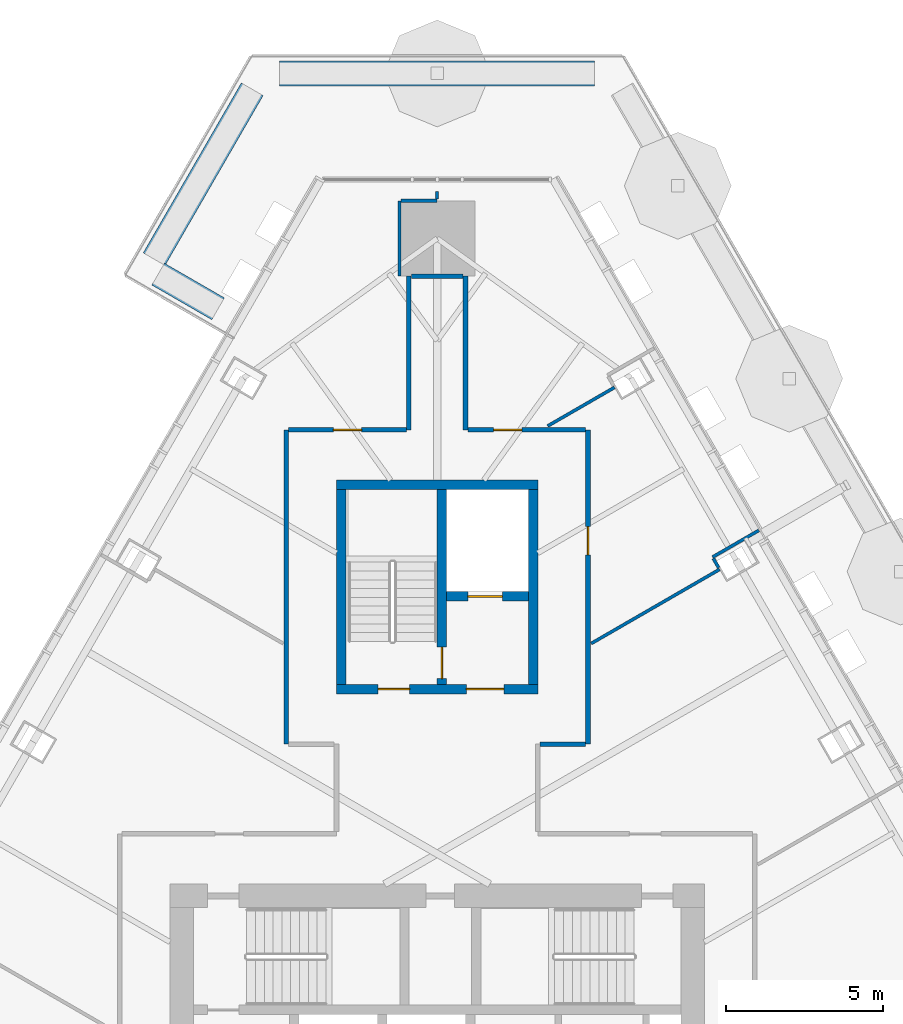
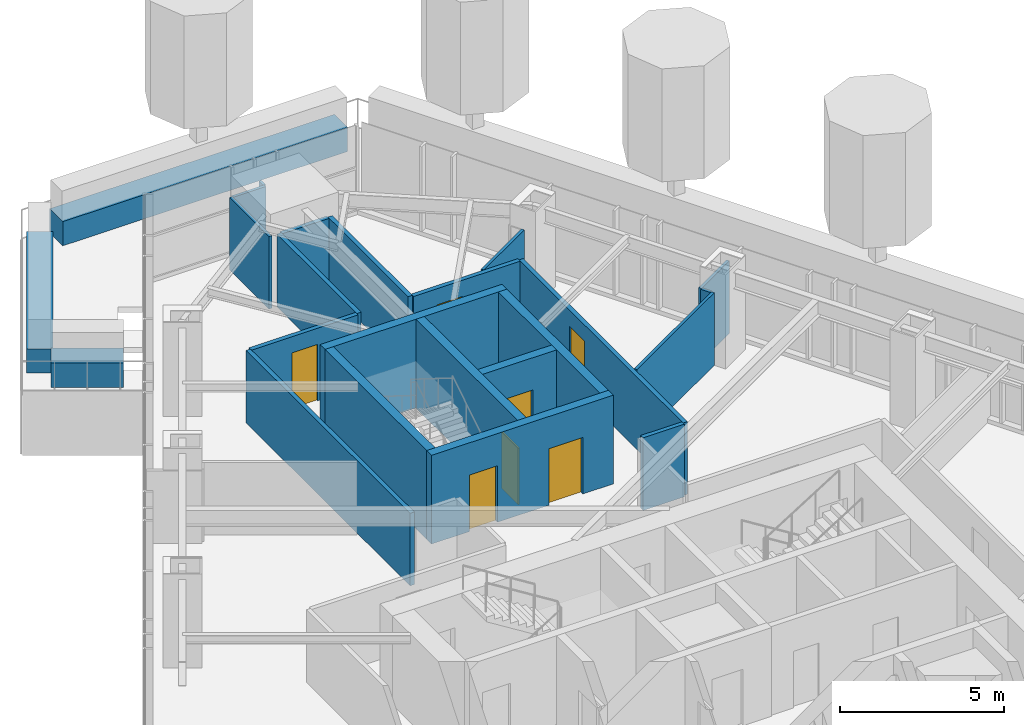
# One storey, part 20 of 24: 24 walls, 7 doors, 7 openings.
"""IFC4 building model written with IfcOpenShell, lengths in metres."""

from ifc_helpers import new_model, si_unit, direction, frame, frame_2d, origin, place, context, subcontext, project, spatial, rectangle, extrude, material, layer, layer_set, type_object, element, fill, save


model = new_model("IFC4")

# Units and contexts
model_context = context("Model", 3, precision=1e-05, world=origin(), true_north=direction((0.0, 1.0)))
body_context = subcontext(model_context, "Body", "Model", "MODEL_VIEW")
ifc_project = project(units=[si_unit("LENGTHUNIT", "METRE"), si_unit("AREAUNIT", "SQUARE_METRE"), si_unit("VOLUMEUNIT", "CUBIC_METRE"), si_unit("PLANEANGLEUNIT", "RADIAN"), si_unit("MASSUNIT", "GRAM", prefix="KILO")], contexts=[model_context])

# Site, building, storey
site_placement = place(None, origin())
site = spatial("IfcSite", under=ifc_project, at=site_placement, CompositionType="ELEMENT")
building_placement = place(site_placement, origin())
building = spatial("IfcBuilding", under=site, at=building_placement, Name="Firuza Gate Tower and Library", CompositionType="ELEMENT")
storey_placement = place(building_placement, frame((0.0, 0.0, 267.10009765625)))
storey = spatial("IfcBuildingStorey", under=building, at=storey_placement, Name="L63", CompositionType="ELEMENT", Elevation=267.10009765625)

# Wall, openings, doors
ifc_material_1 = material(Name="Concrete C60/75", Category="concrete")
ifc_layer_1 = layer(ifc_material_1, 0.300048828125)
ifc_layer_set_1 = layer_set([ifc_layer_1], Name="Core wall 300 C60/75")
wall_type_1 = type_object("IfcWallType", Name="Core wall 300 C60/75", PredefinedType="SHEAR", material=ifc_layer_set_1)
wall_1_placement = place(storey_placement, frame((71.800048828125, 87.949951171875, 0.0), z_axis=(0.0, 0.0, 1.0), x_axis=(1.0, 0.0, 0.0)))
wall_1 = element("IfcWall", 1, at=wall_1_placement, inside=storey, type_object=wall_type_1, Name="Core wall L63 18", PredefinedType="SHEAR", context=body_context, shape_type="SweptSolid", body=[
    extrude(rectangle(XDim=6.39990234375, YDim=0.300048828125, at=frame_2d((3.199951171875, 0.0))), origin(), (0.0, 0.0, 1.0), 3.2998046875),
])
opening_1_placement = place(wall_1_placement, frame((1.324951171875, 0.0, 0.0)))
opening_1 = element("IfcOpeningElement", 2, at=opening_1_placement, cuts=wall_1, Name="Opening L63-K11", PredefinedType="OPENING", context=body_context, shape_type="SweptSolid", body=[
    extrude(rectangle(XDim=1.0, YDim=2.10009765625, at=frame_2d((0.5, 1.050048828125))), frame((0.0, 0.16015625, 0.0), z_axis=(0.0, -1.0, 0.0), x_axis=(1.0, 0.0, 0.0)), (0.0, 0.0, 1.0), 0.320068359375),
])
opening_2_placement = place(wall_1_placement, frame((4.125, 0.0, 0.0)))
opening_2 = element("IfcOpeningElement", 3, at=opening_2_placement, cuts=wall_1, Name="Opening L63-K13", PredefinedType="OPENING", context=body_context, shape_type="SweptSolid", body=[
    extrude(rectangle(XDim=1.199951171875, YDim=2.10009765625, at=frame_2d((0.60009765625, 1.050048828125))), frame((0.0, 0.16015625, 0.0), z_axis=(0.0, -1.0, 0.0), x_axis=(1.0, 0.0, 0.0)), (0.0, 0.0, 1.0), 0.320068359375),
])
ifc_material_2 = material(Name="Steel", Category="steel")
door_type_1 = type_object("IfcDoorType", Name="Fire door 1000x2100 FD90", OperationType="NOTDEFINED", PredefinedType="DOOR", material=ifc_material_2)
door_1_placement = place(opening_1_placement, origin())
door_1 = element("IfcDoor", 4, at=door_1_placement, inside=storey, type_object=door_type_1, Name="Door L63-K11", OperationType="SINGLE_SWING_RIGHT", OverallHeight=2.10009765625, OverallWidth=1.0, PredefinedType="DOOR", context=body_context, shape_type="SweptSolid", body=[
    extrude(rectangle(XDim=1.0, YDim=2.10009765625, at=frame_2d((0.5, 1.050048828125))), frame((0.0, 0.02490234375, 0.0), z_axis=(0.0, -1.0, 0.0), x_axis=(1.0, 0.0, 0.0)), (0.0, 0.0, 1.0), 0.050048828125),
])
fill(opening_1, door_1)
ifc_material_3 = material(Name="Steel", Category="steel")
door_type_2 = type_object("IfcDoorType", Name="Fire door 1200x2100 FD30S", OperationType="NOTDEFINED", PredefinedType="DOOR", material=ifc_material_3)
door_2_placement = place(opening_2_placement, origin())
door_2 = element("IfcDoor", 5, at=door_2_placement, inside=storey, type_object=door_type_2, Name="Door L63-K13", OperationType="SINGLE_SWING_RIGHT", OverallHeight=2.10009765625, OverallWidth=1.199951171875, PredefinedType="DOOR", context=body_context, shape_type="SweptSolid", body=[
    extrude(rectangle(XDim=1.199951171875, YDim=2.10009765625, at=frame_2d((0.60009765625, 1.050048828125))), frame((0.0, 0.02490234375, 0.0), z_axis=(0.0, -1.0, 0.0), x_axis=(1.0, 0.0, 0.0)), (0.0, 0.0, 1.0), 0.050048828125),
])
fill(opening_2, door_2)

# Walls
wall_2_placement = place(storey_placement, frame((71.800048828125, 94.449951171875, 0.0), z_axis=(0.0, 0.0, 1.0), x_axis=(1.0, 0.0, 0.0)))
element("IfcWall", 6, at=wall_2_placement, inside=storey, type_object=wall_type_1, Name="Core wall L63 19", PredefinedType="SHEAR", context=body_context, shape_type="SweptSolid", body=[
    extrude(rectangle(XDim=6.39990234375, YDim=0.300048828125, at=frame_2d((3.199951171875, 0.0))), origin(), (0.0, 0.0, 1.0), 3.2998046875),
])
for number, where, z_axis, x_axis, name in (
    (7, (71.949951171875, 88.10009765625, 0.0), (0.0, 0.0, 1.0), (0.0, 1.0, 0.0), "Core wall L63 20"),
    (8, (78.050048828125, 88.10009765625, 0.0), (0.0, 0.0, 1.0), (0.0, 1.0, 0.0), "Core wall L63 21"),
):
    element("IfcWall", number, at=place(storey_placement, frame(where, z_axis=z_axis, x_axis=x_axis)), inside=storey, type_object=wall_type_1, Name=name, PredefinedType="SHEAR", context=body_context, shape_type="SweptSolid", body=[
        extrude(rectangle(XDim=6.199951171875, YDim=0.300048828125, at=frame_2d((3.10009765625, 0.0))), origin(), (0.0, 0.0, 1.0), 3.2998046875),
    ])

# Wall, opening, door
wall_3_placement = place(storey_placement, frame((75.300048828125, 90.89990234375, 0.0), z_axis=(0.0, 0.0, 1.0), x_axis=(1.0, 0.0, 0.0)))
wall_3 = element("IfcWall", 9, at=wall_3_placement, inside=storey, type_object=wall_type_1, Name="Core wall L63 22", PredefinedType="SHEAR", context=body_context, shape_type="SweptSolid", body=[
    extrude(rectangle(XDim=2.599853515625, YDim=0.300048828125, at=frame_2d((1.2998046875, 0.0))), origin(), (0.0, 0.0, 1.0), 3.2998046875),
])
opening_3_placement = place(wall_3_placement, frame((0.675048828125, 0.0, 0.0)))
opening_3 = element("IfcOpeningElement", 10, at=opening_3_placement, cuts=wall_3, Name="Opening LD-SV1-L63", PredefinedType="OPENING", context=body_context, shape_type="SweptSolid", body=[
    extrude(rectangle(XDim=1.10009765625, YDim=2.10009765625, at=frame_2d((0.550048828125, 1.050048828125))), frame((0.0, 0.16015625, 0.0), z_axis=(0.0, -1.0, 0.0), x_axis=(1.0, 0.0, 0.0)), (0.0, 0.0, 1.0), 0.320068359375),
])
ifc_material_4 = material(Name="Stainless steel", Category="steel")
door_type_3 = type_object("IfcDoorType", Name="Lift landing door 1100x2100", OperationType="DOUBLE_DOOR_SLIDING", PredefinedType="DOOR", material=ifc_material_4)
door_3_placement = place(opening_3_placement, origin())
door_3 = element("IfcDoor", 11, at=door_3_placement, inside=storey, type_object=door_type_3, Name="Landing door SV1 L63", OperationType="DOUBLE_DOOR_SLIDING", OverallHeight=2.10009765625, OverallWidth=1.10009765625, PredefinedType="DOOR", context=body_context, shape_type="SweptSolid", body=[
    extrude(rectangle(XDim=1.10009765625, YDim=2.10009765625, at=frame_2d((0.550048828125, 1.050048828125))), frame((0.0, 0.02490234375, 0.0), z_axis=(0.0, -1.0, 0.0), x_axis=(1.0, 0.0, 0.0)), (0.0, 0.0, 1.0), 0.050048828125),
])
fill(opening_3, door_3)

wall_4_placement = place(storey_placement, frame((75.14990234375, 88.10009765625, 0.0), z_axis=(0.0, 0.0, 1.0), x_axis=(0.0, 1.0, 0.0)))
wall_4 = element("IfcWall", 12, at=wall_4_placement, inside=storey, type_object=wall_type_1, Name="Core wall L63 23", PredefinedType="SHEAR", context=body_context, shape_type="SweptSolid", body=[
    extrude(rectangle(XDim=6.199951171875, YDim=0.300048828125, at=frame_2d((3.10009765625, 0.0))), origin(), (0.0, 0.0, 1.0), 3.2998046875),
])
opening_4_placement = place(wall_4_placement, frame((0.18505859375, 0.0, 0.0)))
opening_4 = element("IfcOpeningElement", 13, at=opening_4_placement, cuts=wall_4, Name="Opening L63-K12", PredefinedType="OPENING", context=body_context, shape_type="SweptSolid", body=[
    extrude(rectangle(XDim=1.0, YDim=2.10009765625, at=frame_2d((0.5, 1.050048828125))), frame((0.0, 0.16015625, 0.0), z_axis=(0.0, -1.0, 0.0), x_axis=(1.0, 0.0, 0.0)), (0.0, 0.0, 1.0), 0.320068359375),
])
door_4_placement = place(opening_4_placement, origin())
door_4 = element("IfcDoor", 14, at=door_4_placement, inside=storey, type_object=door_type_1, Name="Door L63-K12", OperationType="SINGLE_SWING_LEFT", OverallHeight=2.10009765625, OverallWidth=1.0, PredefinedType="DOOR", context=body_context, shape_type="SweptSolid", body=[
    extrude(rectangle(XDim=1.0, YDim=2.10009765625, at=frame_2d((0.5, 1.050048828125))), frame((0.0, 0.02490234375, 0.0), z_axis=(0.0, -1.0, 0.0), x_axis=(1.0, 0.0, 0.0)), (0.0, 0.0, 1.0), 0.050048828125),
])
fill(opening_4, door_4)

# Wall
ifc_material_5 = material(Name="Gypsum board partition")
ifc_layer_2 = layer(ifc_material_5, 0.14990234375)
ifc_layer_set_2 = layer_set([ifc_layer_2], Name="Corridor wall 150 double board on steel studs")
wall_type_2 = type_object("IfcWallType", Name="Corridor wall 150 double board on steel studs", PredefinedType="PARTITIONING", material=ifc_layer_set_2)
wall_5_placement = place(storey_placement, frame((78.27490234375, 86.199951171875, 0.0), z_axis=(0.0, 0.0, 1.0), x_axis=(1.0, 0.0, 0.0)))
element("IfcWall", 15, at=wall_5_placement, inside=storey, type_object=wall_type_2, Name="f:L63:w007", PredefinedType="PARTITIONING", context=body_context, shape_type="SweptSolid", body=[
    extrude(rectangle(XDim=1.44970703125, YDim=0.14990234375, at=frame_2d((0.724853515625, 0.0))), origin(), (0.0, 0.0, 1.0), 2.699951171875),
])

# Wall, opening, door
wall_6_placement = place(storey_placement, frame((70.275390625, 96.199951171875, 0.0), z_axis=(0.0, 0.0, 1.0), x_axis=(1.0, 0.0, 0.0)))
wall_6 = element("IfcWall", 16, at=wall_6_placement, inside=storey, type_object=wall_type_2, Name="f:L63:w008", PredefinedType="PARTITIONING", context=body_context, shape_type="SweptSolid", body=[
    extrude(rectangle(XDim=3.74951171875, YDim=0.14990234375, at=frame_2d((1.874755859375, 0.0))), origin(), (0.0, 0.0, 1.0), 2.699951171875),
])
opening_5_placement = place(wall_6_placement, frame((1.4248046875, 0.0, 0.0)))
opening_5 = element("IfcOpeningElement", 17, at=opening_5_placement, cuts=wall_6, Name="Opening L63-06", PredefinedType="OPENING", context=body_context, shape_type="SweptSolid", body=[
    extrude(rectangle(XDim=0.89990234375, YDim=2.10009765625, at=frame_2d((0.449951171875, 1.050048828125))), frame((0.0, 0.0849609375, 0.0), z_axis=(0.0, -1.0, 0.0), x_axis=(1.0, 0.0, 0.0)), (0.0, 0.0, 1.0), 0.169921875),
])
ifc_material_6 = material(Name="Steel door and timber leaf", Category="steel")
door_type_4 = type_object("IfcDoorType", Name="Fire door 900 x 2100 steel frame, timber leaf", OperationType="NOTDEFINED", PredefinedType="DOOR", material=ifc_material_6)
door_5_placement = place(opening_5_placement, origin())
door_5 = element("IfcDoor", 18, at=door_5_placement, inside=storey, type_object=door_type_4, Name="f:L63:d006", OperationType="SINGLE_SWING_RIGHT", OverallHeight=2.10009765625, OverallWidth=0.89990234375, PredefinedType="DOOR", context=body_context, shape_type="SweptSolid", body=[
    extrude(rectangle(XDim=0.89990234375, YDim=2.10009765625, at=frame_2d((0.449951171875, 1.050048828125))), frame((0.0, 0.02490234375, 0.0), z_axis=(0.0, -1.0, 0.0), x_axis=(1.0, 0.0, 0.0)), (0.0, 0.0, 1.0), 0.050048828125),
])
fill(opening_5, door_5)

wall_7_placement = place(storey_placement, frame((75.97509765625, 96.199951171875, 0.0), z_axis=(0.0, 0.0, 1.0), x_axis=(1.0, 0.0, 0.0)))
wall_7 = element("IfcWall", 19, at=wall_7_placement, inside=storey, type_object=wall_type_2, Name="f:L63:w009", PredefinedType="PARTITIONING", context=body_context, shape_type="SweptSolid", body=[
    extrude(rectangle(XDim=3.74951171875, YDim=0.14990234375, at=frame_2d((1.874755859375, 0.0))), origin(), (0.0, 0.0, 1.0), 2.699951171875),
])
opening_6_placement = place(wall_7_placement, frame((0.818603515625, 0.0, 0.0)))
opening_6 = element("IfcOpeningElement", 20, at=opening_6_placement, cuts=wall_7, Name="Opening L63-07", PredefinedType="OPENING", context=body_context, shape_type="SweptSolid", body=[
    extrude(rectangle(XDim=0.89990234375, YDim=2.10009765625, at=frame_2d((0.449951171875, 1.050048828125))), frame((0.0, 0.0849609375, 0.0), z_axis=(0.0, -1.0, 0.0), x_axis=(1.0, 0.0, 0.0)), (0.0, 0.0, 1.0), 0.169921875),
])
door_6_placement = place(opening_6_placement, origin())
door_6 = element("IfcDoor", 21, at=door_6_placement, inside=storey, type_object=door_type_4, Name="f:L63:d007", OperationType="SINGLE_SWING_LEFT", OverallHeight=2.10009765625, OverallWidth=0.89990234375, PredefinedType="DOOR", context=body_context, shape_type="SweptSolid", body=[
    extrude(rectangle(XDim=0.89990234375, YDim=2.10009765625, at=frame_2d((0.449951171875, 1.050048828125))), frame((0.0, 0.02490234375, 0.0), z_axis=(0.0, -1.0, 0.0), x_axis=(1.0, 0.0, 0.0)), (0.0, 0.0, 1.0), 0.050048828125),
])
fill(opening_6, door_6)

# Wall
wall_8_placement = place(storey_placement, frame((74.180419921875, 101.0859375, 0.0), z_axis=(0.0, 0.0, 1.0), x_axis=(1.0, 0.0, 0.0)))
element("IfcWall", 22, at=wall_8_placement, inside=storey, type_object=wall_type_2, Name="f:L63:w010", PredefinedType="PARTITIONING", context=body_context, shape_type="SweptSolid", body=[
    extrude(rectangle(XDim=1.64404296875, YDim=0.14990234375, at=frame_2d((0.822021484375, 0.0))), origin(), (0.0, 0.0, 1.0), 2.697021484375),
])

# Wall, opening, door
wall_9_placement = place(storey_placement, frame((79.800048828125, 96.199462890625, 0.0), z_axis=(0.0, 0.0, 1.0), x_axis=(0.0, -1.0, 0.0)))
wall_9 = element("IfcWall", 23, at=wall_9_placement, inside=storey, type_object=wall_type_2, Name="f:L63:w034", PredefinedType="PARTITIONING", context=body_context, shape_type="SweptSolid", body=[
    extrude(rectangle(XDim=9.9990234375, YDim=0.14990234375, at=frame_2d((4.99951171875, 0.0))), origin(), (0.0, 0.0, 1.0), 2.699951171875),
])
opening_7_placement = place(wall_9_placement, frame((3.078369140625, 0.0, 0.0)))
opening_7 = element("IfcOpeningElement", 24, at=opening_7_placement, cuts=wall_9, Name="Opening L63-16", PredefinedType="OPENING", context=body_context, shape_type="SweptSolid", body=[
    extrude(rectangle(XDim=0.89990234375, YDim=2.10009765625, at=frame_2d((0.449951171875, 1.050048828125))), frame((0.0, 0.0849609375, 0.0), z_axis=(0.0, -1.0, 0.0), x_axis=(1.0, 0.0, 0.0)), (0.0, 0.0, 1.0), 0.169921875),
])
door_7_placement = place(opening_7_placement, origin())
door_7 = element("IfcDoor", 25, at=door_7_placement, inside=storey, type_object=door_type_4, Name="f:L63:d016", OperationType="SINGLE_SWING_LEFT", OverallHeight=2.10009765625, OverallWidth=0.89990234375, PredefinedType="DOOR", context=body_context, shape_type="SweptSolid", body=[
    extrude(rectangle(XDim=0.89990234375, YDim=2.10009765625, at=frame_2d((0.449951171875, 1.050048828125))), frame((0.0, 0.02490234375, 0.0), z_axis=(0.0, -1.0, 0.0), x_axis=(1.0, 0.0, 0.0)), (0.0, 0.0, 1.0), 0.050048828125),
])
fill(opening_7, door_7)

# Walls
wall_10_placement = place(storey_placement, frame((75.89990234375, 96.199951171875, 0.0), z_axis=(0.0, 0.0, 1.0), x_axis=(0.0, 1.0, 0.0)))
element("IfcWall", 26, at=wall_10_placement, inside=storey, type_object=wall_type_2, Name="f:L63:w036", PredefinedType="PARTITIONING", context=body_context, shape_type="SweptSolid", body=[
    extrude(rectangle(XDim=4.8857421875, YDim=0.14990234375, at=frame_2d((2.44287109375, 0.0))), origin(), (0.0, 0.0, 1.0), 2.699951171875),
])
wall_11_placement = place(storey_placement, frame((74.10009765625, 96.199951171875, 0.0), z_axis=(0.0, 0.0, 1.0), x_axis=(0.0, 1.0, 0.0)))
element("IfcWall", 27, at=wall_11_placement, inside=storey, type_object=wall_type_2, Name="f:L63:w038", PredefinedType="PARTITIONING", context=body_context, shape_type="SweptSolid", body=[
    extrude(rectangle(XDim=4.88623046875, YDim=0.14990234375, at=frame_2d((2.443115234375, 0.0))), origin(), (0.0, 0.0, 1.0), 2.699951171875),
])
wall_12_placement = place(storey_placement, frame((70.199951171875, 86.201904296875, 0.0), z_axis=(0.0, 0.0, 1.0), x_axis=(0.0, 1.0, 0.0)))
element("IfcWall", 28, at=wall_12_placement, inside=storey, type_object=wall_type_2, Name="f:L63:w044", PredefinedType="PARTITIONING", context=body_context, shape_type="SweptSolid", body=[
    extrude(rectangle(XDim=9.99755859375, YDim=0.14990234375, at=frame_2d((4.998779296875, 0.0))), origin(), (0.0, 0.0, 1.0), 2.699951171875),
])
ifc_material_7 = material(Name="Gypsum board partition")
ifc_layer_3 = layer(ifc_material_7, 0.10009765625)
ifc_layer_set_3 = layer_set([ifc_layer_3], Name="Partition 100 gypsum board on steel studs")
wall_type_3 = type_object("IfcWallType", Name="Partition 100 gypsum board on steel studs", PredefinedType="PARTITIONING", material=ifc_layer_set_3)
wall_13_placement = place(storey_placement, frame((73.8505859375, 103.486083984375, 0.0), z_axis=(0.0, 0.0, 1.0), x_axis=(1.0, 0.0, 0.0)))
element("IfcWall", 29, at=wall_13_placement, inside=storey, type_object=wall_type_3, Name="f:L63:w011", PredefinedType="PARTITIONING", context=body_context, shape_type="SweptSolid", body=[
    extrude(rectangle(XDim=1.1494140625, YDim=0.10009765625, at=frame_2d((0.57470703125, 0.0))), origin(), (0.0, 0.0, 1.0), 2.699951171875),
])
wall_14_placement = place(storey_placement, frame((79.90087890625, 89.404296875, 0.0), z_axis=(0.0, 0.0, 1.0), x_axis=(0.866026044032, 0.499998891056, 0.0)))
element("IfcWall", 30, at=wall_14_placement, inside=storey, type_object=wall_type_3, Name="f:L63:w021", PredefinedType="PARTITIONING", context=body_context, shape_type="SweptSolid", body=[
    extrude(rectangle(XDim=4.71435546875, YDim=0.10009765625, at=frame_2d((2.357177734375, 0.0))), origin(), (0.0, 0.0, 1.0), 2.699951171875),
])
wall_15_placement = place(storey_placement, frame((83.759033203125, 92.1513671875, 0.0), z_axis=(0.0, 0.0, 1.0), x_axis=(0.865979829179, 0.500078929226, 0.0)))
element("IfcWall", 31, at=wall_15_placement, inside=storey, type_object=wall_type_3, Name="f:L63:w022", PredefinedType="PARTITIONING", context=body_context, shape_type="SweptSolid", body=[
    extrude(rectangle(XDim=1.699462890625, YDim=0.10009765625, at=frame_2d((0.849609375, 0.0))), origin(), (0.0, 0.0, 1.0), 2.699951171875),
])
wall_16_placement = place(storey_placement, frame((78.513671875, 96.3203125, 0.0), z_axis=(0.0, 0.0, 1.0), x_axis=(0.866040013382, 0.499974694581, 0.0)))
element("IfcWall", 32, at=wall_16_placement, inside=storey, type_object=wall_type_3, Name="f:L63:w023", PredefinedType="PARTITIONING", context=body_context, shape_type="SweptSolid", body=[
    extrude(rectangle(XDim=2.457763671875, YDim=0.10009765625, at=frame_2d((1.22900390625, 0.0))), origin(), (0.0, 0.0, 1.0), 2.699951171875),
])
wall_17_placement = place(storey_placement, frame((75.0, 103.5361328125, 0.0), z_axis=(0.0, 0.0, 1.0), x_axis=(0.0, 1.0, 0.0)))
element("IfcWall", 33, at=wall_17_placement, inside=storey, type_object=wall_type_3, Name="f:L63:w037", PredefinedType="PARTITIONING", context=body_context, shape_type="SweptSolid", body=[
    extrude(rectangle(XDim=0.25, YDim=0.10009765625, at=frame_2d((0.125, 0.0))), origin(), (0.0, 0.0, 1.0), 2.699951171875),
])
wall_18_placement = place(storey_placement, frame((73.800048828125, 101.086669921875, 0.0), z_axis=(0.0, 0.0, 1.0), x_axis=(0.0, 1.0, 0.0)))
element("IfcWall", 34, at=wall_18_placement, inside=storey, type_object=wall_type_3, Name="f:L63:w039", PredefinedType="PARTITIONING", context=body_context, shape_type="SweptSolid", body=[
    extrude(rectangle(XDim=2.39892578125, YDim=0.10009765625, at=frame_2d((1.199462890625, 0.0))), origin(), (0.0, 0.0, 1.0), 2.699951171875),
])
wall_19_placement = place(storey_placement, frame((83.953857421875, 91.8134765625, 0.0), z_axis=(0.0, 0.0, 1.0), x_axis=(-0.499618727529, 0.866245419672, 0.0)))
element("IfcWall", 35, at=wall_19_placement, inside=storey, type_object=wall_type_3, Name="f:L63:w050", PredefinedType="PARTITIONING", context=body_context, shape_type="SweptSolid", body=[
    extrude(rectangle(XDim=0.339599609375, YDim=0.10009765625, at=frame_2d((0.169921875, 0.0))), origin(), (0.0, 0.0, 1.0), 2.699951171875),
])
ifc_material_8 = material(Name="Concrete C40/50", Category="concrete")
ifc_layer_4 = layer(ifc_material_8, 0.800048828125)
ifc_layer_set_4 = layer_set([ifc_layer_4], Name="Planter wall 800")
wall_type_4 = type_object("IfcWallType", Name="Planter wall 800", PredefinedType="SOLIDWALL", material=ifc_layer_set_4)
wall_20_placement = place(storey_placement, frame((80.009521484375, 107.5361328125, 0.0), z_axis=(0.0, 0.0, 1.0), x_axis=(-1.0, 0.0, 0.0)))
element("IfcWall", 36, at=wall_20_placement, inside=storey, type_object=wall_type_4, Name="PLANTER L63 5", PredefinedType="SOLIDWALL", context=body_context, shape_type="SweptSolid", body=[
    extrude(rectangle(XDim=10.01904296875, YDim=0.800048828125, at=frame_2d((5.009521484375, 0.0))), origin(), (0.0, 0.0, 1.0), 0.89990234375),
])
wall_21_placement = place(storey_placement, frame((69.116943359375, 107.03173828125, 0.0), z_axis=(0.0, 0.0, 1.0), x_axis=(-0.499982189669, -0.86603568634, 0.0)))
element("IfcWall", 37, at=wall_21_placement, inside=storey, type_object=wall_type_4, Name="PLANTER L63 6", PredefinedType="SOLIDWALL", context=body_context, shape_type="SweptSolid", body=[
    extrude(rectangle(XDim=6.238037109375, YDim=0.800048828125, at=frame_2d((3.119140625, 0.0))), origin(), (0.0, 0.0, 1.0), 0.89990234375),
])
wall_22_placement = place(storey_placement, frame((66.1259765625, 101.1513671875, 0.0), z_axis=(0.0, 0.0, 1.0), x_axis=(0.866008176907, -0.50002983664, 0.0)))
element("IfcWall", 38, at=wall_22_placement, inside=storey, type_object=wall_type_4, Name="PLANTER L63 7", PredefinedType="SOLIDWALL", context=body_context, shape_type="SweptSolid", body=[
    extrude(rectangle(XDim=2.199951171875, YDim=0.800048828125, at=frame_2d((1.10009765625, 0.0))), origin(), (0.0, 0.0, 1.0), 0.89990234375),
])

save(model, "model.ifc")
